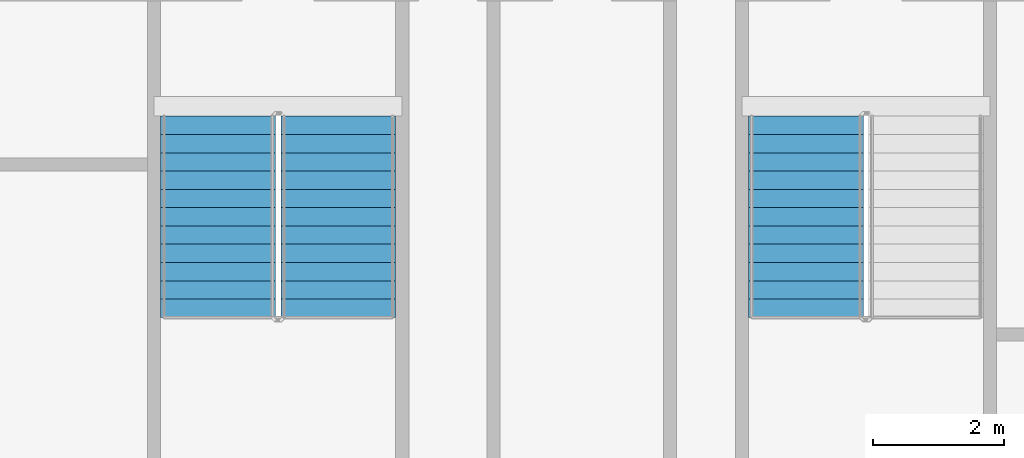
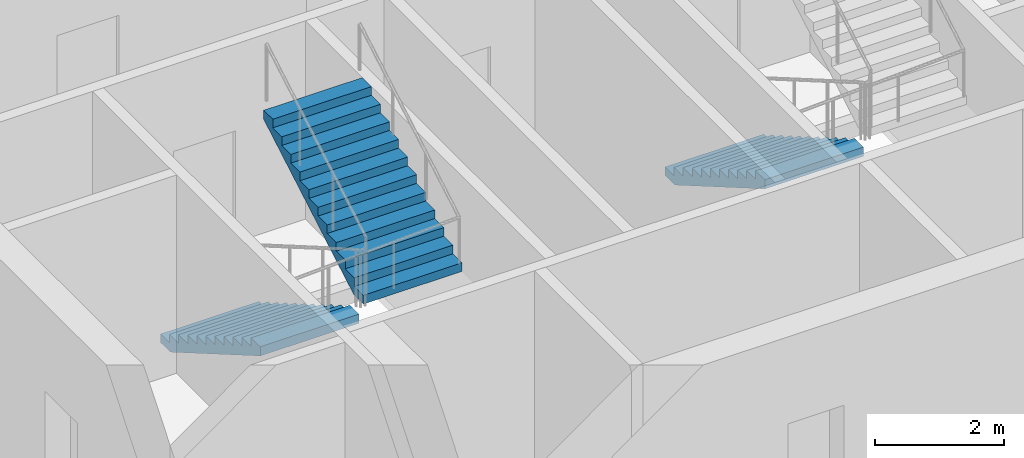
# One storey, part 14 of 21: 3 stair flights, 2 elements without a shape of their own.
"""IFC4 building model written with IfcOpenShell, lengths in metres."""

from ifc_helpers import new_model, si_unit, direction, frame, origin, place, context, subcontext, project, spatial, faceted_brep, material, type_object, element, aggregate, save


model = new_model("IFC4")

# Units and contexts
model_context = context("Model", 3, precision=1e-05, world=origin(), true_north=direction((0.0, 1.0)))
body_context = subcontext(model_context, "Body", "Model", "MODEL_VIEW")
ifc_project = project(units=[si_unit("LENGTHUNIT", "METRE"), si_unit("AREAUNIT", "SQUARE_METRE"), si_unit("VOLUMEUNIT", "CUBIC_METRE"), si_unit("PLANEANGLEUNIT", "RADIAN"), si_unit("MASSUNIT", "GRAM", prefix="KILO")], contexts=[model_context])

# Site, building, storey
site_placement = place(None, origin())
site = spatial("IfcSite", under=ifc_project, at=site_placement, CompositionType="ELEMENT")
building_placement = place(site_placement, origin())
building = spatial("IfcBuilding", under=site, at=building_placement, Name="Tarsis Ring Headquarters", CompositionType="ELEMENT")
storey_placement = place(building_placement, frame((0.0, 0.0, 347.0)))
storey = spatial("IfcBuildingStorey", under=building, at=storey_placement, Name="L82", CompositionType="ELEMENT", Elevation=347.0)

# Stair, stair flights
ifc_material_1 = material(Name="Core stair 1760")
stair_type = type_object("IfcStairType", Name="Core stair 1760", PredefinedType="HALF_TURN_STAIR", material=ifc_material_1)
stair_1_placement = place(storey_placement, origin())
stair_1 = element("IfcStair", 1, at=stair_1_placement, inside=storey, type_object=stair_type, Name="L82 Exit stair C", PredefinedType="HALF_TURN_STAIR")
ifc_material_2 = material(Name="Concrete C40/50", Category="concrete")
stair_flight_type = type_object("IfcStairFlightType", Name="Core stair flight 1760", PredefinedType="STRAIGHT", material=ifc_material_2)
stair_flight_1_placement = place(storey_placement, frame((-5.419921875, -3.659912109375, 0.0), z_axis=(0.0, 0.0, 1.0), x_axis=(0.0, -1.0, 0.0)))
stair_flight_1 = element("IfcStairFlight", 2, at=stair_flight_1_placement, type_object=stair_flight_type, Name="Stair ST3 flight 1", NumberOfRisers=12, NumberOfTreads=11, PredefinedType="STRAIGHT", RiserHeight=0.1625, TreadLength=0.28, context=body_context, shape_type="Brep", body=[
    faceted_brep([(0.0, 0.8798828125, 0.0), (0.0, 0.8798828125, 0.16259765625), (0.280029296875, 0.8798828125, 0.16259765625), (0.280029296875, 0.8798828125, 0.324951171875), (0.56005859375, 0.8798828125, 0.324951171875), (0.56005859375, 0.8798828125, 0.487548828125), (0.840087890625, 0.8798828125, 0.487548828125), (0.840087890625, 0.8798828125, 0.64990234375), (1.1201171875, 0.8798828125, 0.64990234375), (1.1201171875, 0.8798828125, 0.8125), (1.39990234375, 0.8798828125, 0.8125), (1.39990234375, 0.8798828125, 0.97509765625), (1.679931640625, 0.8798828125, 0.97509765625), (1.679931640625, 0.8798828125, 1.137451171875), (1.9599609375, 0.8798828125, 1.137451171875), (1.9599609375, 0.8798828125, 1.300048828125), (2.239990234375, 0.8798828125, 1.300048828125), (2.239990234375, 0.8798828125, 1.46240234375), (2.52001953125, 0.8798828125, 1.46240234375), (2.52001953125, 0.8798828125, 1.625), (2.800048828125, 0.8798828125, 1.625), (2.800048828125, 0.8798828125, 1.78759765625), (3.080078125, 0.8798828125, 1.78759765625), (3.080078125, 0.8798828125, 1.6142578125), (0.298583984375, 0.8798828125, 0.0), (0.298583984375, -0.8798828125, 0.0), (3.080078125, -0.8798828125, 1.6142578125), (3.080078125, -0.8798828125, 1.78759765625), (2.800048828125, -0.8798828125, 1.78759765625), (2.800048828125, -0.8798828125, 1.625), (2.52001953125, -0.8798828125, 1.625), (2.52001953125, -0.8798828125, 1.46240234375), (2.239990234375, -0.8798828125, 1.46240234375), (2.239990234375, -0.8798828125, 1.300048828125), (1.9599609375, -0.8798828125, 1.300048828125), (1.9599609375, -0.8798828125, 1.137451171875), (1.679931640625, -0.8798828125, 1.137451171875), (1.679931640625, -0.8798828125, 0.97509765625), (1.39990234375, -0.8798828125, 0.97509765625), (1.39990234375, -0.8798828125, 0.8125), (1.1201171875, -0.8798828125, 0.8125), (1.1201171875, -0.8798828125, 0.64990234375), (0.840087890625, -0.8798828125, 0.64990234375), (0.840087890625, -0.8798828125, 0.487548828125), (0.56005859375, -0.8798828125, 0.487548828125), (0.56005859375, -0.8798828125, 0.324951171875), (0.280029296875, -0.8798828125, 0.324951171875), (0.280029296875, -0.8798828125, 0.16259765625), (0.0, -0.8798828125, 0.16259765625), (0.0, -0.8798828125, 0.0), (0.0, -0.43994140625, 0.16259765625), (0.0, -0.43994140625, 0.0), (0.0, 0.0, 0.16259765625), (0.0, 0.0, 0.0), (0.0, 0.43994140625, 0.16259765625), (0.0, 0.43994140625, 0.0), (0.280029296875, -0.43994140625, 0.16259765625), (0.280029296875, 0.0, 0.16259765625), (0.280029296875, 0.43994140625, 0.16259765625), (0.280029296875, -0.43994140625, 0.324951171875), (0.280029296875, 0.0, 0.324951171875), (0.280029296875, 0.43994140625, 0.324951171875), (0.56005859375, -0.43994140625, 0.324951171875), (0.56005859375, 0.0, 0.324951171875), (0.56005859375, 0.43994140625, 0.324951171875), (0.56005859375, -0.43994140625, 0.487548828125), (0.56005859375, 0.0, 0.487548828125), (0.56005859375, 0.43994140625, 0.487548828125), (0.840087890625, -0.43994140625, 0.487548828125), (0.840087890625, 0.0, 0.487548828125), (0.840087890625, 0.43994140625, 0.487548828125), (0.840087890625, -0.43994140625, 0.64990234375), (0.840087890625, 0.0, 0.64990234375), (0.840087890625, 0.43994140625, 0.64990234375), (1.1201171875, -0.43994140625, 0.64990234375), (1.1201171875, 0.0, 0.64990234375), (1.1201171875, 0.43994140625, 0.64990234375), (1.1201171875, -0.43994140625, 0.8125), (1.1201171875, 0.0, 0.8125), (1.1201171875, 0.43994140625, 0.8125), (1.39990234375, -0.43994140625, 0.8125), (1.39990234375, 0.0, 0.8125), (1.39990234375, 0.43994140625, 0.8125), (1.39990234375, -0.43994140625, 0.97509765625), (1.39990234375, 0.0, 0.97509765625), (1.39990234375, 0.43994140625, 0.97509765625), (1.679931640625, -0.43994140625, 0.97509765625), (1.679931640625, 0.0, 0.97509765625), (1.679931640625, 0.43994140625, 0.97509765625), (1.679931640625, -0.43994140625, 1.137451171875), (1.679931640625, 0.0, 1.137451171875), (1.679931640625, 0.43994140625, 1.137451171875), (1.9599609375, -0.43994140625, 1.137451171875), (1.9599609375, 0.0, 1.137451171875), (1.9599609375, 0.43994140625, 1.137451171875), (1.9599609375, -0.43994140625, 1.300048828125), (1.9599609375, 0.0, 1.300048828125), (1.9599609375, 0.43994140625, 1.300048828125), (2.239990234375, -0.43994140625, 1.300048828125), (2.239990234375, 0.0, 1.300048828125), (2.239990234375, 0.43994140625, 1.300048828125), (2.239990234375, -0.43994140625, 1.46240234375), (2.239990234375, 0.0, 1.46240234375), (2.239990234375, 0.43994140625, 1.46240234375), (2.52001953125, -0.43994140625, 1.46240234375), (2.52001953125, 0.0, 1.46240234375), (2.52001953125, 0.43994140625, 1.46240234375), (2.52001953125, -0.43994140625, 1.625), (2.52001953125, 0.0, 1.625), (2.52001953125, 0.43994140625, 1.625), (2.800048828125, -0.43994140625, 1.625), (2.800048828125, 0.0, 1.625), (2.800048828125, 0.43994140625, 1.625), (2.800048828125, -0.43994140625, 1.78759765625), (2.800048828125, 0.0, 1.78759765625), (2.800048828125, 0.43994140625, 1.78759765625), (3.080078125, -0.43994140625, 1.78759765625), (3.080078125, 0.0, 1.78759765625), (3.080078125, 0.43994140625, 1.78759765625), (3.080078125, -0.43994140625, 1.6142578125), (3.080078125, 0.0, 1.6142578125), (3.080078125, 0.43994140625, 1.6142578125), (0.298583984375, -0.43994140625, 0.0), (0.298583984375, 0.0, 0.0), (0.298583984375, 0.43994140625, 0.0)], [[[0, 1, 2, 3, 4, 5, 6, 7, 8, 9, 10, 11, 12, 13, 14, 15, 16, 17, 18, 19, 20, 21, 22, 23, 24]], [[25, 26, 27, 28, 29, 30, 31, 32, 33, 34, 35, 36, 37, 38, 39, 40, 41, 42, 43, 44, 45, 46, 47, 48, 49]], [[49, 48, 50, 51]], [[51, 50, 52, 53]], [[53, 52, 54, 55]], [[55, 54, 1, 0]], [[48, 47, 56, 50]], [[50, 56, 57, 52]], [[52, 57, 58, 54]], [[54, 58, 2, 1]], [[47, 46, 59, 56]], [[56, 59, 60, 57]], [[57, 60, 61, 58]], [[58, 61, 3, 2]], [[46, 45, 62, 59]], [[59, 62, 63, 60]], [[60, 63, 64, 61]], [[61, 64, 4, 3]], [[45, 44, 65, 62]], [[62, 65, 66, 63]], [[63, 66, 67, 64]], [[64, 67, 5, 4]], [[44, 43, 68, 65]], [[65, 68, 69, 66]], [[66, 69, 70, 67]], [[67, 70, 6, 5]], [[43, 42, 71, 68]], [[68, 71, 72, 69]], [[69, 72, 73, 70]], [[70, 73, 7, 6]], [[42, 41, 74, 71]], [[71, 74, 75, 72]], [[72, 75, 76, 73]], [[73, 76, 8, 7]], [[41, 40, 77, 74]], [[74, 77, 78, 75]], [[75, 78, 79, 76]], [[76, 79, 9, 8]], [[40, 39, 80, 77]], [[77, 80, 81, 78]], [[78, 81, 82, 79]], [[79, 82, 10, 9]], [[39, 38, 83, 80]], [[80, 83, 84, 81]], [[81, 84, 85, 82]], [[82, 85, 11, 10]], [[38, 37, 86, 83]], [[83, 86, 87, 84]], [[84, 87, 88, 85]], [[85, 88, 12, 11]], [[37, 36, 89, 86]], [[86, 89, 90, 87]], [[87, 90, 91, 88]], [[88, 91, 13, 12]], [[36, 35, 92, 89]], [[89, 92, 93, 90]], [[90, 93, 94, 91]], [[91, 94, 14, 13]], [[35, 34, 95, 92]], [[92, 95, 96, 93]], [[93, 96, 97, 94]], [[94, 97, 15, 14]], [[34, 33, 98, 95]], [[95, 98, 99, 96]], [[96, 99, 100, 97]], [[97, 100, 16, 15]], [[33, 32, 101, 98]], [[98, 101, 102, 99]], [[99, 102, 103, 100]], [[100, 103, 17, 16]], [[32, 31, 104, 101]], [[101, 104, 105, 102]], [[102, 105, 106, 103]], [[103, 106, 18, 17]], [[31, 30, 107, 104]], [[104, 107, 108, 105]], [[105, 108, 109, 106]], [[106, 109, 19, 18]], [[30, 29, 110, 107]], [[107, 110, 111, 108]], [[108, 111, 112, 109]], [[109, 112, 20, 19]], [[29, 28, 113, 110]], [[110, 113, 114, 111]], [[111, 114, 115, 112]], [[112, 115, 21, 20]], [[28, 27, 116, 113]], [[113, 116, 117, 114]], [[114, 117, 118, 115]], [[115, 118, 22, 21]], [[27, 26, 119, 116]], [[116, 119, 120, 117]], [[117, 120, 121, 118]], [[118, 121, 23, 22]], [[26, 25, 122, 119]], [[119, 122, 123, 120]], [[120, 123, 124, 121]], [[121, 124, 24, 23]], [[25, 49, 51, 122]], [[122, 51, 53, 123]], [[123, 53, 55, 124]], [[124, 55, 0, 24]]]),
])
stair_flight_2_placement = place(storey_placement, frame((-3.580078125, -6.739990234375, 1.949951171875), z_axis=(0.0, 0.0, 1.0), x_axis=(0.0, 1.0, 0.0)))
stair_flight_2 = element("IfcStairFlight", 3, at=stair_flight_2_placement, type_object=stair_flight_type, Name="Stair ST3 flight 2", NumberOfRisers=12, NumberOfTreads=11, PredefinedType="STRAIGHT", RiserHeight=0.1625, TreadLength=0.28, context=body_context, shape_type="Brep", body=[
    faceted_brep([(0.0, 0.8798828125, 0.0), (0.0, 0.8798828125, 0.16259765625), (0.280029296875, 0.8798828125, 0.16259765625), (0.280029296875, 0.8798828125, 0.324951171875), (0.56005859375, 0.8798828125, 0.324951171875), (0.56005859375, 0.8798828125, 0.487548828125), (0.840087890625, 0.8798828125, 0.487548828125), (0.840087890625, 0.8798828125, 0.64990234375), (1.1201171875, 0.8798828125, 0.64990234375), (1.1201171875, 0.8798828125, 0.8125), (1.39990234375, 0.8798828125, 0.8125), (1.39990234375, 0.8798828125, 0.97509765625), (1.679931640625, 0.8798828125, 0.97509765625), (1.679931640625, 0.8798828125, 1.137451171875), (1.9599609375, 0.8798828125, 1.137451171875), (1.9599609375, 0.8798828125, 1.300048828125), (2.239990234375, 0.8798828125, 1.300048828125), (2.239990234375, 0.8798828125, 1.46240234375), (2.52001953125, 0.8798828125, 1.46240234375), (2.52001953125, 0.8798828125, 1.625), (2.800048828125, 0.8798828125, 1.625), (2.800048828125, 0.8798828125, 1.78759765625), (3.080078125, 0.8798828125, 1.78759765625), (3.080078125, 0.8798828125, 1.6142578125), (0.298583984375, 0.8798828125, 0.0), (0.298583984375, -0.8798828125, 0.0), (3.080078125, -0.8798828125, 1.6142578125), (3.080078125, -0.8798828125, 1.78759765625), (2.800048828125, -0.8798828125, 1.78759765625), (2.800048828125, -0.8798828125, 1.625), (2.52001953125, -0.8798828125, 1.625), (2.52001953125, -0.8798828125, 1.46240234375), (2.239990234375, -0.8798828125, 1.46240234375), (2.239990234375, -0.8798828125, 1.300048828125), (1.9599609375, -0.8798828125, 1.300048828125), (1.9599609375, -0.8798828125, 1.137451171875), (1.679931640625, -0.8798828125, 1.137451171875), (1.679931640625, -0.8798828125, 0.97509765625), (1.39990234375, -0.8798828125, 0.97509765625), (1.39990234375, -0.8798828125, 0.8125), (1.1201171875, -0.8798828125, 0.8125), (1.1201171875, -0.8798828125, 0.64990234375), (0.840087890625, -0.8798828125, 0.64990234375), (0.840087890625, -0.8798828125, 0.487548828125), (0.56005859375, -0.8798828125, 0.487548828125), (0.56005859375, -0.8798828125, 0.324951171875), (0.280029296875, -0.8798828125, 0.324951171875), (0.280029296875, -0.8798828125, 0.16259765625), (0.0, -0.8798828125, 0.16259765625), (0.0, -0.8798828125, 0.0), (0.0, -0.43994140625, 0.16259765625), (0.0, -0.43994140625, 0.0), (0.0, 0.0, 0.16259765625), (0.0, 0.0, 0.0), (0.0, 0.43994140625, 0.16259765625), (0.0, 0.43994140625, 0.0), (0.280029296875, -0.43994140625, 0.16259765625), (0.280029296875, 0.0, 0.16259765625), (0.280029296875, 0.43994140625, 0.16259765625), (0.280029296875, -0.43994140625, 0.324951171875), (0.280029296875, 0.0, 0.324951171875), (0.280029296875, 0.43994140625, 0.324951171875), (0.56005859375, -0.43994140625, 0.324951171875), (0.56005859375, 0.0, 0.324951171875), (0.56005859375, 0.43994140625, 0.324951171875), (0.56005859375, -0.43994140625, 0.487548828125), (0.56005859375, 0.0, 0.487548828125), (0.56005859375, 0.43994140625, 0.487548828125), (0.840087890625, -0.43994140625, 0.487548828125), (0.840087890625, 0.0, 0.487548828125), (0.840087890625, 0.43994140625, 0.487548828125), (0.840087890625, -0.43994140625, 0.64990234375), (0.840087890625, 0.0, 0.64990234375), (0.840087890625, 0.43994140625, 0.64990234375), (1.1201171875, -0.43994140625, 0.64990234375), (1.1201171875, 0.0, 0.64990234375), (1.1201171875, 0.43994140625, 0.64990234375), (1.1201171875, -0.43994140625, 0.8125), (1.1201171875, 0.0, 0.8125), (1.1201171875, 0.43994140625, 0.8125), (1.39990234375, -0.43994140625, 0.8125), (1.39990234375, 0.0, 0.8125), (1.39990234375, 0.43994140625, 0.8125), (1.39990234375, -0.43994140625, 0.97509765625), (1.39990234375, 0.0, 0.97509765625), (1.39990234375, 0.43994140625, 0.97509765625), (1.679931640625, -0.43994140625, 0.97509765625), (1.679931640625, 0.0, 0.97509765625), (1.679931640625, 0.43994140625, 0.97509765625), (1.679931640625, -0.43994140625, 1.137451171875), (1.679931640625, 0.0, 1.137451171875), (1.679931640625, 0.43994140625, 1.137451171875), (1.9599609375, -0.43994140625, 1.137451171875), (1.9599609375, 0.0, 1.137451171875), (1.9599609375, 0.43994140625, 1.137451171875), (1.9599609375, -0.43994140625, 1.300048828125), (1.9599609375, 0.0, 1.300048828125), (1.9599609375, 0.43994140625, 1.300048828125), (2.239990234375, -0.43994140625, 1.300048828125), (2.239990234375, 0.0, 1.300048828125), (2.239990234375, 0.43994140625, 1.300048828125), (2.239990234375, -0.43994140625, 1.46240234375), (2.239990234375, 0.0, 1.46240234375), (2.239990234375, 0.43994140625, 1.46240234375), (2.52001953125, -0.43994140625, 1.46240234375), (2.52001953125, 0.0, 1.46240234375), (2.52001953125, 0.43994140625, 1.46240234375), (2.52001953125, -0.43994140625, 1.625), (2.52001953125, 0.0, 1.625), (2.52001953125, 0.43994140625, 1.625), (2.800048828125, -0.43994140625, 1.625), (2.800048828125, 0.0, 1.625), (2.800048828125, 0.43994140625, 1.625), (2.800048828125, -0.43994140625, 1.78759765625), (2.800048828125, 0.0, 1.78759765625), (2.800048828125, 0.43994140625, 1.78759765625), (3.080078125, -0.43994140625, 1.78759765625), (3.080078125, 0.0, 1.78759765625), (3.080078125, 0.43994140625, 1.78759765625), (3.080078125, -0.43994140625, 1.6142578125), (3.080078125, 0.0, 1.6142578125), (3.080078125, 0.43994140625, 1.6142578125), (0.298583984375, -0.43994140625, 0.0), (0.298583984375, 0.0, 0.0), (0.298583984375, 0.43994140625, 0.0)], [[[0, 1, 2, 3, 4, 5, 6, 7, 8, 9, 10, 11, 12, 13, 14, 15, 16, 17, 18, 19, 20, 21, 22, 23, 24]], [[25, 26, 27, 28, 29, 30, 31, 32, 33, 34, 35, 36, 37, 38, 39, 40, 41, 42, 43, 44, 45, 46, 47, 48, 49]], [[49, 48, 50, 51]], [[51, 50, 52, 53]], [[53, 52, 54, 55]], [[55, 54, 1, 0]], [[48, 47, 56, 50]], [[50, 56, 57, 52]], [[52, 57, 58, 54]], [[54, 58, 2, 1]], [[47, 46, 59, 56]], [[56, 59, 60, 57]], [[57, 60, 61, 58]], [[58, 61, 3, 2]], [[46, 45, 62, 59]], [[59, 62, 63, 60]], [[60, 63, 64, 61]], [[61, 64, 4, 3]], [[45, 44, 65, 62]], [[62, 65, 66, 63]], [[63, 66, 67, 64]], [[64, 67, 5, 4]], [[44, 43, 68, 65]], [[65, 68, 69, 66]], [[66, 69, 70, 67]], [[67, 70, 6, 5]], [[43, 42, 71, 68]], [[68, 71, 72, 69]], [[69, 72, 73, 70]], [[70, 73, 7, 6]], [[42, 41, 74, 71]], [[71, 74, 75, 72]], [[72, 75, 76, 73]], [[73, 76, 8, 7]], [[41, 40, 77, 74]], [[74, 77, 78, 75]], [[75, 78, 79, 76]], [[76, 79, 9, 8]], [[40, 39, 80, 77]], [[77, 80, 81, 78]], [[78, 81, 82, 79]], [[79, 82, 10, 9]], [[39, 38, 83, 80]], [[80, 83, 84, 81]], [[81, 84, 85, 82]], [[82, 85, 11, 10]], [[38, 37, 86, 83]], [[83, 86, 87, 84]], [[84, 87, 88, 85]], [[85, 88, 12, 11]], [[37, 36, 89, 86]], [[86, 89, 90, 87]], [[87, 90, 91, 88]], [[88, 91, 13, 12]], [[36, 35, 92, 89]], [[89, 92, 93, 90]], [[90, 93, 94, 91]], [[91, 94, 14, 13]], [[35, 34, 95, 92]], [[92, 95, 96, 93]], [[93, 96, 97, 94]], [[94, 97, 15, 14]], [[34, 33, 98, 95]], [[95, 98, 99, 96]], [[96, 99, 100, 97]], [[97, 100, 16, 15]], [[33, 32, 101, 98]], [[98, 101, 102, 99]], [[99, 102, 103, 100]], [[100, 103, 17, 16]], [[32, 31, 104, 101]], [[101, 104, 105, 102]], [[102, 105, 106, 103]], [[103, 106, 18, 17]], [[31, 30, 107, 104]], [[104, 107, 108, 105]], [[105, 108, 109, 106]], [[106, 109, 19, 18]], [[30, 29, 110, 107]], [[107, 110, 111, 108]], [[108, 111, 112, 109]], [[109, 112, 20, 19]], [[29, 28, 113, 110]], [[110, 113, 114, 111]], [[111, 114, 115, 112]], [[112, 115, 21, 20]], [[28, 27, 116, 113]], [[113, 116, 117, 114]], [[114, 117, 118, 115]], [[115, 118, 22, 21]], [[27, 26, 119, 116]], [[116, 119, 120, 117]], [[117, 120, 121, 118]], [[118, 121, 23, 22]], [[26, 25, 122, 119]], [[119, 122, 123, 120]], [[120, 123, 124, 121]], [[121, 124, 24, 23]], [[25, 49, 51, 122]], [[122, 51, 53, 123]], [[123, 53, 55, 124]], [[124, 55, 0, 24]]]),
])
aggregate(stair_1, [stair_flight_1, stair_flight_2])

# Stair, stair flight
stair_2_placement = place(storey_placement, origin())
stair_2 = element("IfcStair", 4, at=stair_2_placement, inside=storey, type_object=stair_type, Name="L82 Exit stair D", PredefinedType="HALF_TURN_STAIR")
stair_flight_3_placement = place(storey_placement, frame((3.580078125, -3.659912109375, 0.0), z_axis=(0.0, 0.0, 1.0), x_axis=(0.0, -1.0, 0.0)))
stair_flight_3 = element("IfcStairFlight", 5, at=stair_flight_3_placement, type_object=stair_flight_type, Name="Stair ST4 flight 1", NumberOfRisers=12, NumberOfTreads=11, PredefinedType="STRAIGHT", RiserHeight=0.1625, TreadLength=0.28, context=body_context, shape_type="Brep", body=[
    faceted_brep([(0.0, 0.8798828125, 0.0), (0.0, 0.8798828125, 0.16259765625), (0.280029296875, 0.8798828125, 0.16259765625), (0.280029296875, 0.8798828125, 0.324951171875), (0.56005859375, 0.8798828125, 0.324951171875), (0.56005859375, 0.8798828125, 0.487548828125), (0.840087890625, 0.8798828125, 0.487548828125), (0.840087890625, 0.8798828125, 0.64990234375), (1.1201171875, 0.8798828125, 0.64990234375), (1.1201171875, 0.8798828125, 0.8125), (1.39990234375, 0.8798828125, 0.8125), (1.39990234375, 0.8798828125, 0.97509765625), (1.679931640625, 0.8798828125, 0.97509765625), (1.679931640625, 0.8798828125, 1.137451171875), (1.9599609375, 0.8798828125, 1.137451171875), (1.9599609375, 0.8798828125, 1.300048828125), (2.239990234375, 0.8798828125, 1.300048828125), (2.239990234375, 0.8798828125, 1.46240234375), (2.52001953125, 0.8798828125, 1.46240234375), (2.52001953125, 0.8798828125, 1.625), (2.800048828125, 0.8798828125, 1.625), (2.800048828125, 0.8798828125, 1.78759765625), (3.080078125, 0.8798828125, 1.78759765625), (3.080078125, 0.8798828125, 1.6142578125), (0.298583984375, 0.8798828125, 0.0), (0.298583984375, -0.8798828125, 0.0), (3.080078125, -0.8798828125, 1.6142578125), (3.080078125, -0.8798828125, 1.78759765625), (2.800048828125, -0.8798828125, 1.78759765625), (2.800048828125, -0.8798828125, 1.625), (2.52001953125, -0.8798828125, 1.625), (2.52001953125, -0.8798828125, 1.46240234375), (2.239990234375, -0.8798828125, 1.46240234375), (2.239990234375, -0.8798828125, 1.300048828125), (1.9599609375, -0.8798828125, 1.300048828125), (1.9599609375, -0.8798828125, 1.137451171875), (1.679931640625, -0.8798828125, 1.137451171875), (1.679931640625, -0.8798828125, 0.97509765625), (1.39990234375, -0.8798828125, 0.97509765625), (1.39990234375, -0.8798828125, 0.8125), (1.1201171875, -0.8798828125, 0.8125), (1.1201171875, -0.8798828125, 0.64990234375), (0.840087890625, -0.8798828125, 0.64990234375), (0.840087890625, -0.8798828125, 0.487548828125), (0.56005859375, -0.8798828125, 0.487548828125), (0.56005859375, -0.8798828125, 0.324951171875), (0.280029296875, -0.8798828125, 0.324951171875), (0.280029296875, -0.8798828125, 0.16259765625), (0.0, -0.8798828125, 0.16259765625), (0.0, -0.8798828125, 0.0), (0.0, -0.43994140625, 0.16259765625), (0.0, -0.43994140625, 0.0), (0.0, 0.0, 0.16259765625), (0.0, 0.0, 0.0), (0.0, 0.43994140625, 0.16259765625), (0.0, 0.43994140625, 0.0), (0.280029296875, -0.43994140625, 0.16259765625), (0.280029296875, 0.0, 0.16259765625), (0.280029296875, 0.43994140625, 0.16259765625), (0.280029296875, -0.43994140625, 0.324951171875), (0.280029296875, 0.0, 0.324951171875), (0.280029296875, 0.43994140625, 0.324951171875), (0.56005859375, -0.43994140625, 0.324951171875), (0.56005859375, 0.0, 0.324951171875), (0.56005859375, 0.43994140625, 0.324951171875), (0.56005859375, -0.43994140625, 0.487548828125), (0.56005859375, 0.0, 0.487548828125), (0.56005859375, 0.43994140625, 0.487548828125), (0.840087890625, -0.43994140625, 0.487548828125), (0.840087890625, 0.0, 0.487548828125), (0.840087890625, 0.43994140625, 0.487548828125), (0.840087890625, -0.43994140625, 0.64990234375), (0.840087890625, 0.0, 0.64990234375), (0.840087890625, 0.43994140625, 0.64990234375), (1.1201171875, -0.43994140625, 0.64990234375), (1.1201171875, 0.0, 0.64990234375), (1.1201171875, 0.43994140625, 0.64990234375), (1.1201171875, -0.43994140625, 0.8125), (1.1201171875, 0.0, 0.8125), (1.1201171875, 0.43994140625, 0.8125), (1.39990234375, -0.43994140625, 0.8125), (1.39990234375, 0.0, 0.8125), (1.39990234375, 0.43994140625, 0.8125), (1.39990234375, -0.43994140625, 0.97509765625), (1.39990234375, 0.0, 0.97509765625), (1.39990234375, 0.43994140625, 0.97509765625), (1.679931640625, -0.43994140625, 0.97509765625), (1.679931640625, 0.0, 0.97509765625), (1.679931640625, 0.43994140625, 0.97509765625), (1.679931640625, -0.43994140625, 1.137451171875), (1.679931640625, 0.0, 1.137451171875), (1.679931640625, 0.43994140625, 1.137451171875), (1.9599609375, -0.43994140625, 1.137451171875), (1.9599609375, 0.0, 1.137451171875), (1.9599609375, 0.43994140625, 1.137451171875), (1.9599609375, -0.43994140625, 1.300048828125), (1.9599609375, 0.0, 1.300048828125), (1.9599609375, 0.43994140625, 1.300048828125), (2.239990234375, -0.43994140625, 1.300048828125), (2.239990234375, 0.0, 1.300048828125), (2.239990234375, 0.43994140625, 1.300048828125), (2.239990234375, -0.43994140625, 1.46240234375), (2.239990234375, 0.0, 1.46240234375), (2.239990234375, 0.43994140625, 1.46240234375), (2.52001953125, -0.43994140625, 1.46240234375), (2.52001953125, 0.0, 1.46240234375), (2.52001953125, 0.43994140625, 1.46240234375), (2.52001953125, -0.43994140625, 1.625), (2.52001953125, 0.0, 1.625), (2.52001953125, 0.43994140625, 1.625), (2.800048828125, -0.43994140625, 1.625), (2.800048828125, 0.0, 1.625), (2.800048828125, 0.43994140625, 1.625), (2.800048828125, -0.43994140625, 1.78759765625), (2.800048828125, 0.0, 1.78759765625), (2.800048828125, 0.43994140625, 1.78759765625), (3.080078125, -0.43994140625, 1.78759765625), (3.080078125, 0.0, 1.78759765625), (3.080078125, 0.43994140625, 1.78759765625), (3.080078125, -0.43994140625, 1.6142578125), (3.080078125, 0.0, 1.6142578125), (3.080078125, 0.43994140625, 1.6142578125), (0.298583984375, -0.43994140625, 0.0), (0.298583984375, 0.0, 0.0), (0.298583984375, 0.43994140625, 0.0)], [[[0, 1, 2, 3, 4, 5, 6, 7, 8, 9, 10, 11, 12, 13, 14, 15, 16, 17, 18, 19, 20, 21, 22, 23, 24]], [[25, 26, 27, 28, 29, 30, 31, 32, 33, 34, 35, 36, 37, 38, 39, 40, 41, 42, 43, 44, 45, 46, 47, 48, 49]], [[49, 48, 50, 51]], [[51, 50, 52, 53]], [[53, 52, 54, 55]], [[55, 54, 1, 0]], [[48, 47, 56, 50]], [[50, 56, 57, 52]], [[52, 57, 58, 54]], [[54, 58, 2, 1]], [[47, 46, 59, 56]], [[56, 59, 60, 57]], [[57, 60, 61, 58]], [[58, 61, 3, 2]], [[46, 45, 62, 59]], [[59, 62, 63, 60]], [[60, 63, 64, 61]], [[61, 64, 4, 3]], [[45, 44, 65, 62]], [[62, 65, 66, 63]], [[63, 66, 67, 64]], [[64, 67, 5, 4]], [[44, 43, 68, 65]], [[65, 68, 69, 66]], [[66, 69, 70, 67]], [[67, 70, 6, 5]], [[43, 42, 71, 68]], [[68, 71, 72, 69]], [[69, 72, 73, 70]], [[70, 73, 7, 6]], [[42, 41, 74, 71]], [[71, 74, 75, 72]], [[72, 75, 76, 73]], [[73, 76, 8, 7]], [[41, 40, 77, 74]], [[74, 77, 78, 75]], [[75, 78, 79, 76]], [[76, 79, 9, 8]], [[40, 39, 80, 77]], [[77, 80, 81, 78]], [[78, 81, 82, 79]], [[79, 82, 10, 9]], [[39, 38, 83, 80]], [[80, 83, 84, 81]], [[81, 84, 85, 82]], [[82, 85, 11, 10]], [[38, 37, 86, 83]], [[83, 86, 87, 84]], [[84, 87, 88, 85]], [[85, 88, 12, 11]], [[37, 36, 89, 86]], [[86, 89, 90, 87]], [[87, 90, 91, 88]], [[88, 91, 13, 12]], [[36, 35, 92, 89]], [[89, 92, 93, 90]], [[90, 93, 94, 91]], [[91, 94, 14, 13]], [[35, 34, 95, 92]], [[92, 95, 96, 93]], [[93, 96, 97, 94]], [[94, 97, 15, 14]], [[34, 33, 98, 95]], [[95, 98, 99, 96]], [[96, 99, 100, 97]], [[97, 100, 16, 15]], [[33, 32, 101, 98]], [[98, 101, 102, 99]], [[99, 102, 103, 100]], [[100, 103, 17, 16]], [[32, 31, 104, 101]], [[101, 104, 105, 102]], [[102, 105, 106, 103]], [[103, 106, 18, 17]], [[31, 30, 107, 104]], [[104, 107, 108, 105]], [[105, 108, 109, 106]], [[106, 109, 19, 18]], [[30, 29, 110, 107]], [[107, 110, 111, 108]], [[108, 111, 112, 109]], [[109, 112, 20, 19]], [[29, 28, 113, 110]], [[110, 113, 114, 111]], [[111, 114, 115, 112]], [[112, 115, 21, 20]], [[28, 27, 116, 113]], [[113, 116, 117, 114]], [[114, 117, 118, 115]], [[115, 118, 22, 21]], [[27, 26, 119, 116]], [[116, 119, 120, 117]], [[117, 120, 121, 118]], [[118, 121, 23, 22]], [[26, 25, 122, 119]], [[119, 122, 123, 120]], [[120, 123, 124, 121]], [[121, 124, 24, 23]], [[25, 49, 51, 122]], [[122, 51, 53, 123]], [[123, 53, 55, 124]], [[124, 55, 0, 24]]]),
])
aggregate(stair_2, [stair_flight_3])

save(model, "model.ifc")
